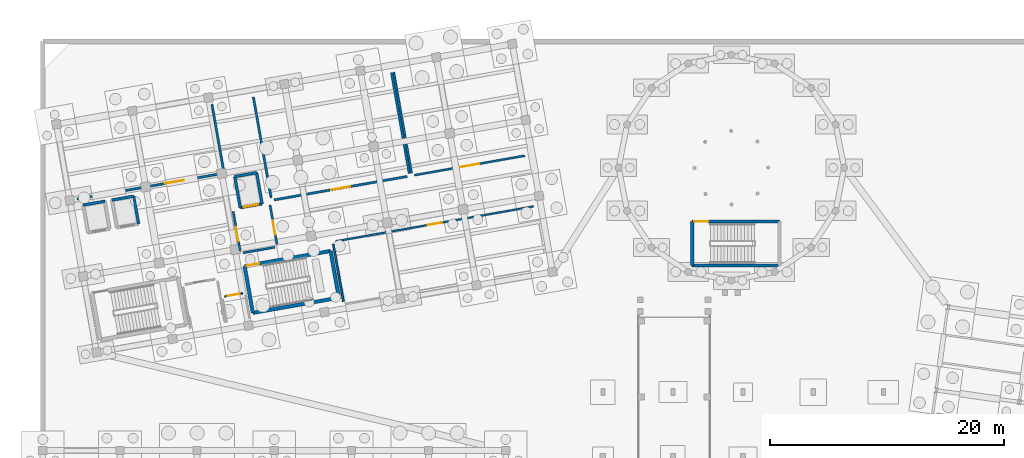
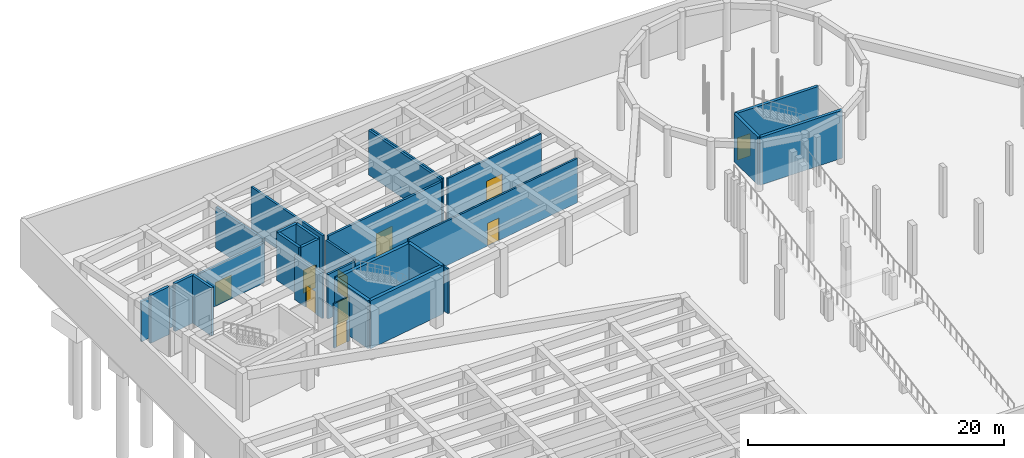
# One storey, part 23 of 34: 27 walls, 10 doors, 10 openings.
"""IFC4 building model written with IfcOpenShell, lengths in metres."""

from ifc_helpers import new_model, si_unit, direction, frame, frame_2d, origin, place, context, subcontext, project, spatial, rectangle, extrude, material, layer, layer_set, type_object, element, fill, save


model = new_model("IFC4")

# Units and contexts
model_context = context("Model", 3, precision=1e-05, world=origin(), true_north=direction((0.0, 1.0)))
body_context = subcontext(model_context, "Body", "Model", "MODEL_VIEW")
ifc_project = project(units=[si_unit("LENGTHUNIT", "METRE"), si_unit("AREAUNIT", "SQUARE_METRE"), si_unit("VOLUMEUNIT", "CUBIC_METRE"), si_unit("PLANEANGLEUNIT", "RADIAN"), si_unit("MASSUNIT", "GRAM", prefix="KILO")], contexts=[model_context])

# Site, building, storey
site_placement = place(None, origin())
site = spatial("IfcSite", under=ifc_project, at=site_placement, CompositionType="ELEMENT")
building_placement = place(site_placement, origin())
building = spatial("IfcBuilding", under=site, at=building_placement, Name="Kharisveld Research Institute", CompositionType="ELEMENT")
storey_placement = place(building_placement, frame((0.0, 0.0, -4.800048828125)))
storey = spatial("IfcBuildingStorey", under=building, at=storey_placement, Name="B1", CompositionType="ELEMENT", Elevation=-4.800048828125)

# Walls
ifc_material_1 = material(Name="Concrete C40/50", Category="concrete")
ifc_layer_1 = layer(ifc_material_1, 0.239990234375)
ifc_layer_set_1 = layer_set([ifc_layer_1], Name="WL_CORE_240")
wall_type_1 = type_object("IfcWallType", Name="WL_CORE_240", PredefinedType="SHEAR", material=ifc_layer_set_1)
wall_1_placement = place(storey_placement, frame((17.48828125, 47.3818359375, 0.0), z_axis=(0.0, 0.0, 1.0), x_axis=(-0.173615102578, 0.98481358447, 0.0)))
element("IfcWall", 1, at=wall_1_placement, inside=storey, type_object=wall_type_1, Name="WL:LFT:FFL-01:B1:W", PredefinedType="SHEAR", context=body_context, shape_type="SweptSolid", body=[
    extrude(rectangle(XDim=2.699951171875, YDim=0.239990234375, at=frame_2d((1.35009765625, 0.0))), origin(), (0.0, 0.0, 1.0), 4.580078125),
])
wall_2_placement = place(storey_placement, frame((17.01953125, 50.040771484375, 0.0), z_axis=(0.0, 0.0, 1.0), x_axis=(0.984815882103, 0.173602068988, 0.0)))
element("IfcWall", 2, at=wall_2_placement, inside=storey, type_object=wall_type_1, Name="WL:LFT:FFL-01:B1:N", PredefinedType="SHEAR", context=body_context, shape_type="SweptSolid", body=[
    extrude(rectangle(XDim=1.89990234375, YDim=0.239990234375, at=frame_2d((0.949951171875, 0.0))), origin(), (0.0, 0.0, 1.0), 4.580078125),
])
wall_3_placement = place(storey_placement, frame((18.890625, 50.37060546875, 0.0), z_axis=(0.0, 0.0, 1.0), x_axis=(0.173615102578, -0.98481358447, 0.0)))
element("IfcWall", 3, at=wall_3_placement, inside=storey, type_object=wall_type_1, Name="WL:LFT:FFL-01:B1:E", PredefinedType="SHEAR", context=body_context, shape_type="SweptSolid", body=[
    extrude(rectangle(XDim=2.699951171875, YDim=0.239990234375, at=frame_2d((1.35009765625, 0.0))), origin(), (0.0, 0.0, 1.0), 4.580078125),
])

# Wall, opening, door
wall_4_placement = place(storey_placement, frame((19.359375, 47.711669921875, 0.0), z_axis=(0.0, 0.0, 1.0), x_axis=(-0.984815882103, -0.173602068988, 0.0)))
wall_4 = element("IfcWall", 4, at=wall_4_placement, inside=storey, type_object=wall_type_1, Name="WL:LFT:FFL-01:B1:S", PredefinedType="SHEAR", context=body_context, shape_type="SweptSolid", body=[
    extrude(rectangle(XDim=1.89990234375, YDim=0.239990234375, at=frame_2d((0.949951171875, 0.0))), origin(), (0.0, 0.0, 1.0), 4.580078125),
])
opening_1_placement = place(wall_4_placement, frame((0.324951171875, 0.0, 0.0)))
opening_1 = element("IfcOpeningElement", 5, at=opening_1_placement, cuts=wall_4, Name="Opening LD-02", PredefinedType="OPENING", context=body_context, shape_type="SweptSolid", body=[
    extrude(rectangle(XDim=1.25, YDim=2.199951171875, at=frame_2d((0.625, 1.10009765625))), frame((0.0, 0.1201171875, 0.0), z_axis=(0.0, -1.0, 0.0), x_axis=(1.0, 0.0, 0.0)), (0.0, 0.0, 1.0), 0.239990234375),
])
ifc_material_2 = material(Name="Flush Painted Hardwood and Anodised Aluminium", Category="wood")
door_type_1 = type_object("IfcDoorType", Name="DR_LFT_125", OperationType="SLIDING_TO_RIGHT", PredefinedType="DOOR", material=ifc_material_2)
door_1_placement = place(opening_1_placement, origin())
door_1 = element("IfcDoor", 6, at=door_1_placement, inside=storey, type_object=door_type_1, Name="FFL-01 Lift Landing Door B1", OperationType="SLIDING_TO_RIGHT", OverallHeight=2.199951171875, OverallWidth=1.25, PredefinedType="DOOR", context=body_context, shape_type="SweptSolid", body=[
    extrude(rectangle(XDim=1.25, YDim=2.199951171875, at=frame_2d((0.625, 1.10009765625))), frame((0.0, 0.02490234375, 0.0), z_axis=(0.0, -1.0, 0.0), x_axis=(1.0, 0.0, 0.0)), (0.0, 0.0, 1.0), 0.050048828125),
])
fill(opening_1, door_1)

# Walls
for number, where, z_axis, x_axis, name in (
    (7, (4.046142578125, 47.600830078125, 0.0), (0.0, 0.0, 1.0), (0.984793905749, 0.173726691098, 0.0), "WL:LFT:PL-01:B1:N"),
    (8, (6.508056640625, 48.034912109375, 0.0), (0.0, 0.0, 1.0), (0.984793905749, 0.173726691098, 0.0), "WL:LFT:PL-02:B1:N"),
):
    element("IfcWall", number, at=place(storey_placement, frame(where, z_axis=z_axis, x_axis=x_axis)), inside=storey, type_object=wall_type_1, Name=name, PredefinedType="SHEAR", context=body_context, shape_type="SweptSolid", body=[
        extrude(rectangle(XDim=1.89990234375, YDim=0.239990234375, at=frame_2d((0.949951171875, 0.0))), origin(), (0.0, 0.0, 1.0), 4.580078125),
    ])
wall_5_placement = place(storey_placement, frame((8.379150390625, 48.364990234375, 0.0), z_axis=(0.0, 0.0, 1.0), x_axis=(0.173646056486, -0.984808127031, 0.0)))
element("IfcWall", 9, at=wall_5_placement, inside=storey, type_object=wall_type_1, Name="WL:LFT:PL-02:B1:E", PredefinedType="SHEAR", context=body_context, shape_type="SweptSolid", body=[
    extrude(rectangle(XDim=2.39990234375, YDim=0.239990234375, at=frame_2d((1.199951171875, 0.0))), origin(), (0.0, 0.0, 1.0), 4.580078125),
])
ifc_material_3 = material(Name="Concrete C40/50", Category="concrete")
ifc_layer_2 = layer(ifc_material_3, 0.27001953125)
ifc_layer_set_2 = layer_set([ifc_layer_2], Name="WL_CORE_270")
wall_type_2 = type_object("IfcWallType", Name="WL_CORE_270", PredefinedType="SHEAR", material=ifc_layer_set_2)
wall_6_placement = place(storey_placement, frame((56.14990234375, 42.449951171875, 0.0), z_axis=(0.0, 0.0, 1.0), x_axis=(0.0, 1.0, 0.0)))
element("IfcWall", 10, at=wall_6_placement, inside=storey, type_object=wall_type_2, Name="WL:STR:ST7:B1:W", PredefinedType="SHEAR", context=body_context, shape_type="SweptSolid", body=[
    extrude(rectangle(XDim=3.739990234375, YDim=0.27001953125, at=frame_2d((1.8701171875, 0.0))), origin(), (0.0, 0.0, 1.0), 4.580078125),
])

# Wall, opening, door
wall_7_placement = place(storey_placement, frame((56.14990234375, 46.18994140625, 0.0), z_axis=(0.0, 0.0, 1.0), x_axis=(1.0, 0.0, 0.0)))
wall_7 = element("IfcWall", 11, at=wall_7_placement, inside=storey, type_object=wall_type_2, Name="WL:STR:ST7:B1:N", PredefinedType="SHEAR", context=body_context, shape_type="SweptSolid", body=[
    extrude(rectangle(XDim=7.47021484375, YDim=0.27001953125, at=frame_2d((3.735107421875, 0.0))), origin(), (0.0, 0.0, 1.0), 4.580078125),
])
opening_2_placement = place(wall_7_placement, frame((0.179931640625, 0.0, 0.0)))
opening_2 = element("IfcOpeningElement", 12, at=opening_2_placement, cuts=wall_7, Name="Opening DS-049", PredefinedType="OPENING", context=body_context, shape_type="SweptSolid", body=[
    extrude(rectangle(XDim=1.179931640625, YDim=2.14990234375, at=frame_2d((0.58984375, 1.074951171875))), frame((0.0, 0.135009765625, 0.0), z_axis=(0.0, -1.0, 0.0), x_axis=(1.0, 0.0, 0.0)), (0.0, 0.0, 1.0), 0.27001953125),
])
ifc_material_4 = material(Name="Flush Painted Hardwood and Anodised Aluminium", Category="wood")
door_type_2 = type_object("IfcDoorType", Name="DR_FD60_118", OperationType="NOTDEFINED", PredefinedType="DOOR", material=ifc_material_4)
door_2_placement = place(opening_2_placement, origin())
door_2 = element("IfcDoor", 13, at=door_2_placement, inside=storey, type_object=door_type_2, Name="DR:STR:ST7:B1", OperationType="SINGLE_SWING_RIGHT", OverallHeight=2.14990234375, OverallWidth=1.179931640625, PredefinedType="DOOR", context=body_context, shape_type="SweptSolid", body=[
    extrude(rectangle(XDim=1.179931640625, YDim=2.14990234375, at=frame_2d((0.58984375, 1.074951171875))), frame((0.0, 0.02490234375, 0.0), z_axis=(0.0, -1.0, 0.0), x_axis=(1.0, 0.0, 0.0)), (0.0, 0.0, 1.0), 0.050048828125),
])
fill(opening_2, door_2)

# Walls
wall_8_placement = place(storey_placement, frame((63.6201171875, 42.449951171875, 0.0), z_axis=(0.0, 0.0, 1.0), x_axis=(-1.0, 0.0, 0.0)))
element("IfcWall", 14, at=wall_8_placement, inside=storey, type_object=wall_type_2, Name="WL:STR:ST7:B1:S", PredefinedType="SHEAR", context=body_context, shape_type="SweptSolid", body=[
    extrude(rectangle(XDim=7.47021484375, YDim=0.27001953125, at=frame_2d((3.735107421875, 0.0))), origin(), (0.0, 0.0, 1.0), 4.580078125),
])
ifc_material_5 = material(Name="Concrete C40/50", Category="concrete")
ifc_layer_3 = layer(ifc_material_5, 0.300048828125)
ifc_layer_set_3 = layer_set([ifc_layer_3], Name="WL_CORE_300")
wall_type_3 = type_object("IfcWallType", Name="WL_CORE_300", PredefinedType="SHEAR", material=ifc_layer_set_3)
wall_9_placement = place(storey_placement, frame((18.5673828125, 38.382568359375, 0.0), z_axis=(0.0, 0.0, 1.0), x_axis=(-0.173606946886, 0.984815022221, 0.0)))
element("IfcWall", 15, at=wall_9_placement, inside=storey, type_object=wall_type_3, Name="WL:STR:ST2:B1:W", PredefinedType="SHEAR", context=body_context, shape_type="SweptSolid", body=[
    extrude(rectangle(XDim=4.06005859375, YDim=0.300048828125, at=frame_2d((2.030029296875, 0.0))), origin(), (0.0, 0.0, 1.0), 4.580078125),
])

# Wall, opening, door
wall_10_placement = place(storey_placement, frame((17.862548828125, 42.380859375, 0.0), z_axis=(0.0, 0.0, 1.0), x_axis=(0.984808225754, 0.173645496596, 0.0)))
wall_10 = element("IfcWall", 16, at=wall_10_placement, inside=storey, type_object=wall_type_3, Name="WL:STR:ST2:B1:N", PredefinedType="SHEAR", context=body_context, shape_type="SweptSolid", body=[
    extrude(rectangle(XDim=7.469970703125, YDim=0.300048828125, at=frame_2d((3.73486328125, 0.0))), origin(), (0.0, 0.0, 1.0), 4.580078125),
])
opening_3_placement = place(wall_10_placement, frame((0.179931640625, 0.0, 0.0)))
opening_3 = element("IfcOpeningElement", 17, at=opening_3_placement, cuts=wall_10, Name="Opening DS-014", PredefinedType="OPENING", context=body_context, shape_type="SweptSolid", body=[
    extrude(rectangle(XDim=1.080078125, YDim=2.14990234375, at=frame_2d((0.5400390625, 1.074951171875))), frame((0.0, 0.14990234375, 0.0), z_axis=(0.0, -1.0, 0.0), x_axis=(1.0, 0.0, 0.0)), (0.0, 0.0, 1.0), 0.300048828125),
])
ifc_material_6 = material(Name="Flush Painted Hardwood and Anodised Aluminium", Category="wood")
door_type_3 = type_object("IfcDoorType", Name="DR_FD60_108", OperationType="NOTDEFINED", PredefinedType="DOOR", material=ifc_material_6)
door_3_placement = place(opening_3_placement, origin())
door_3 = element("IfcDoor", 18, at=door_3_placement, inside=storey, type_object=door_type_3, Name="DR:STR:ST2:B1", OperationType="SINGLE_SWING_LEFT", OverallHeight=2.14990234375, OverallWidth=1.080078125, PredefinedType="DOOR", context=body_context, shape_type="SweptSolid", body=[
    extrude(rectangle(XDim=1.080078125, YDim=2.14990234375, at=frame_2d((0.5400390625, 1.074951171875))), frame((0.0, 0.02490234375, 0.0), z_axis=(0.0, -1.0, 0.0), x_axis=(1.0, 0.0, 0.0)), (0.0, 0.0, 1.0), 0.050048828125),
])
fill(opening_3, door_3)

# Walls
wall_11_placement = place(storey_placement, frame((25.218994140625, 43.677978515625, 0.0), z_axis=(0.0, 0.0, 1.0), x_axis=(0.173665267602, -0.984804739443, 0.0)))
element("IfcWall", 19, at=wall_11_placement, inside=storey, type_object=wall_type_3, Name="WL:STR:ST2:B1:E", PredefinedType="SHEAR", context=body_context, shape_type="SweptSolid", body=[
    extrude(rectangle(XDim=4.06005859375, YDim=0.300048828125, at=frame_2d((2.030029296875, 0.0))), origin(), (0.0, 0.0, 1.0), 4.580078125),
])
wall_12_placement = place(storey_placement, frame((25.924072265625, 39.6796875, 0.0), z_axis=(0.0, 0.0, 1.0), x_axis=(-0.984809211193, -0.173639907711, 0.0)))
element("IfcWall", 20, at=wall_12_placement, inside=storey, type_object=wall_type_3, Name="WL:STR:ST2:B1:S", PredefinedType="SHEAR", context=body_context, shape_type="SweptSolid", body=[
    extrude(rectangle(XDim=7.47021484375, YDim=0.300048828125, at=frame_2d((3.735107421875, 0.0))), origin(), (0.0, 0.0, 1.0), 4.580078125),
])

# Wall, opening, door
ifc_material_7 = material(Name="Acoustic Drywall Partition", Category="mineral")
ifc_layer_4 = layer(ifc_material_7, 0.1650390625)
ifc_layer_set_4 = layer_set([ifc_layer_4], Name="WL_LAB_165")
wall_type_4 = type_object("IfcWallType", Name="WL_LAB_165", PredefinedType="PARTITIONING", material=ifc_layer_set_4)
wall_13_placement = place(storey_placement, frame((42.58056640625, 47.49072265625, 0.0), z_axis=(0.0, 0.0, 1.0), x_axis=(-0.984807256483, -0.173650993599, 0.0)))
wall_13 = element("IfcWall", 21, at=wall_13_placement, inside=storey, type_object=wall_type_4, Name="WL:RM:V1:B1:EMB1:N", PredefinedType="PARTITIONING", context=body_context, shape_type="SweptSolid", body=[
    extrude(rectangle(XDim=17.2099609375, YDim=0.1650390625, at=frame_2d((8.60498046875, 0.0))), origin(), (0.0, 0.0, 1.0), 4.25),
])
opening_4_placement = place(wall_13_placement, frame((8.0, 0.0, 0.0)))
opening_4 = element("IfcOpeningElement", 22, at=opening_4_placement, cuts=wall_13, Name="Opening DI-059", PredefinedType="OPENING", context=body_context, shape_type="SweptSolid", body=[
    extrude(rectangle(XDim=1.2099609375, YDim=2.159912109375, at=frame_2d((0.60498046875, 1.080078125))), frame((0.0, 0.08251953125, 0.0), z_axis=(0.0, -1.0, 0.0), x_axis=(1.0, 0.0, 0.0)), (0.0, 0.0, 1.0), 0.1650390625),
])
ifc_material_8 = material(Name="Flush Painted Hardwood and Anodised Aluminium", Category="wood")
door_type_4 = type_object("IfcDoorType", Name="DR_VAR_11", OperationType="NOTDEFINED", PredefinedType="DOOR", material=ifc_material_8)
door_4_placement = place(opening_4_placement, origin())
door_4 = element("IfcDoor", 23, at=door_4_placement, inside=storey, type_object=door_type_4, Name="DR:RM:V1:B1:EMB1:N", OperationType="SINGLE_SWING_LEFT", OverallHeight=2.159912109375, OverallWidth=1.2099609375, PredefinedType="DOOR", context=body_context, shape_type="SweptSolid", body=[
    extrude(rectangle(XDim=1.2099609375, YDim=2.159912109375, at=frame_2d((0.60498046875, 1.080078125))), frame((0.0, 0.02490234375, 0.0), z_axis=(0.0, -1.0, 0.0), x_axis=(1.0, 0.0, 0.0)), (0.0, 0.0, 1.0), 0.050048828125),
])
fill(opening_4, door_4)

# Walls
wall_14_placement = place(storey_placement, frame((25.45361328125, 44.247314453125, 0.0), z_axis=(0.0, 0.0, 1.0), x_axis=(0.173658971256, -0.98480584975, 0.0)))
element("IfcWall", 24, at=wall_14_placement, inside=storey, type_object=wall_type_4, Name="WL:RM:V1:B1:EMB1:W", PredefinedType="PARTITIONING", context=body_context, shape_type="SweptSolid", body=[
    extrude(rectangle(XDim=4.9599609375, YDim=0.1650390625, at=frame_2d((2.47998046875, 0.0))), origin(), (0.0, 0.0, 1.0), 4.25),
])
ifc_material_9 = material(Name="Masonry Blockwork", Category="masonry")
ifc_layer_5 = layer(ifc_material_9, 0.18505859375)
ifc_layer_set_5 = layer_set([ifc_layer_5], Name="WL_LOB_185")
wall_type_5 = type_object("IfcWallType", Name="WL_LOB_185", PredefinedType="SOLIDWALL", material=ifc_layer_set_5)
wall_15_placement = place(storey_placement, frame((17.7333984375, 43.515625, 0.0), z_axis=(0.0, 0.0, 1.0), x_axis=(0.984808483292, 0.173644035992, 0.0)))
element("IfcWall", 25, at=wall_15_placement, inside=storey, type_object=wall_type_5, Name="WL:RM:V1:B1:FFL:S", PredefinedType="SOLIDWALL", context=body_context, shape_type="SweptSolid", body=[
    extrude(rectangle(XDim=2.760009765625, YDim=0.18505859375, at=frame_2d((1.3798828125, 0.0))), origin(), (0.0, 0.0, 1.0), 4.25),
])

# Wall, opening, door
wall_16_placement = place(storey_placement, frame((20.6298828125, 44.249755859375, 0.0), z_axis=(0.0, 0.0, 1.0), x_axis=(-0.173621956536, 0.984812376145, 0.0)))
wall_16 = element("IfcWall", 26, at=wall_16_placement, inside=storey, type_object=wall_type_5, Name="WL:RM:V1:B1:FFL:E", PredefinedType="SOLIDWALL", context=body_context, shape_type="SweptSolid", body=[
    extrude(rectangle(XDim=3.409912109375, YDim=0.18505859375, at=frame_2d((1.705078125, 0.0))), origin(), (0.0, 0.0, 1.0), 4.25),
])
opening_5_placement = place(wall_16_placement, frame((0.85009765625, 0.0, 0.0)))
opening_5 = element("IfcOpeningElement", 27, at=opening_5_placement, cuts=wall_16, Name="Opening DI-052", PredefinedType="OPENING", context=body_context, shape_type="SweptSolid", body=[
    extrude(rectangle(XDim=1.199951171875, YDim=2.14990234375, at=frame_2d((0.60009765625, 1.074951171875))), frame((0.0, 0.092529296875, 0.0), z_axis=(0.0, -1.0, 0.0), x_axis=(1.0, 0.0, 0.0)), (0.0, 0.0, 1.0), 0.18505859375),
])
ifc_material_10 = material(Name="Flush Painted Hardwood and Anodised Aluminium", Category="wood")
door_type_5 = type_object("IfcDoorType", Name="DR_FD120_120", OperationType="NOTDEFINED", PredefinedType="DOOR", material=ifc_material_10)
door_5_placement = place(opening_5_placement, origin())
door_5 = element("IfcDoor", 28, at=door_5_placement, inside=storey, type_object=door_type_5, Name="DR:RM:V1:B1:FFL:E", OperationType="SINGLE_SWING_LEFT", OverallHeight=2.14990234375, OverallWidth=1.199951171875, PredefinedType="DOOR", context=body_context, shape_type="SweptSolid", body=[
    extrude(rectangle(XDim=1.199951171875, YDim=2.14990234375, at=frame_2d((0.60009765625, 1.074951171875))), frame((0.0, 0.02490234375, 0.0), z_axis=(0.0, -1.0, 0.0), x_axis=(1.0, 0.0, 0.0)), (0.0, 0.0, 1.0), 0.050048828125),
])
fill(opening_5, door_5)

wall_17_placement = place(storey_placement, frame((16.886474609375, 47.05224609375, 0.0), z_axis=(0.0, 0.0, 1.0), x_axis=(0.173621956536, -0.984812376145, 0.0)))
wall_17 = element("IfcWall", 29, at=wall_17_placement, inside=storey, type_object=wall_type_5, Name="WL:RM:V1:B1:FFL:W", PredefinedType="SOLIDWALL", context=body_context, shape_type="SweptSolid", body=[
    extrude(rectangle(XDim=3.409912109375, YDim=0.18505859375, at=frame_2d((1.705078125, 0.0))), origin(), (0.0, 0.0, 1.0), 4.25),
])
opening_6_placement = place(wall_17_placement, frame((1.360107421875, 0.0, 0.0)))
opening_6 = element("IfcOpeningElement", 30, at=opening_6_placement, cuts=wall_17, Name="Opening DI-053", PredefinedType="OPENING", context=body_context, shape_type="SweptSolid", body=[
    extrude(rectangle(XDim=1.199951171875, YDim=2.14990234375, at=frame_2d((0.60009765625, 1.074951171875))), frame((0.0, 0.092529296875, 0.0), z_axis=(0.0, -1.0, 0.0), x_axis=(1.0, 0.0, 0.0)), (0.0, 0.0, 1.0), 0.18505859375),
])
door_6_placement = place(opening_6_placement, origin())
door_6 = element("IfcDoor", 31, at=door_6_placement, inside=storey, type_object=door_type_5, Name="DR:RM:V1:B1:FFL:W", OperationType="SINGLE_SWING_RIGHT", OverallHeight=2.14990234375, OverallWidth=1.199951171875, PredefinedType="DOOR", context=body_context, shape_type="SweptSolid", body=[
    extrude(rectangle(XDim=1.199951171875, YDim=2.14990234375, at=frame_2d((0.60009765625, 1.074951171875))), frame((0.0, 0.02490234375, 0.0), z_axis=(0.0, -1.0, 0.0), x_axis=(1.0, 0.0, 0.0)), (0.0, 0.0, 1.0), 0.050048828125),
])
fill(opening_6, door_6)

ifc_material_11 = material(Name="Concrete C35/45", Category="concrete")
ifc_layer_6 = layer(ifc_material_11, 0.199951171875)
ifc_layer_set_6 = layer_set([ifc_layer_6], Name="WL_SHF_200")
wall_type_6 = type_object("IfcWallType", Name="WL_SHF_200", PredefinedType="SOLIDWALL", material=ifc_layer_set_6)
wall_18_placement = place(storey_placement, frame((3.518310546875, 48.1171875, 0.0), z_axis=(0.0, 0.0, 1.0), x_axis=(0.9848097689, 0.173636744608, 0.0)))
wall_18 = element("IfcWall", 32, at=wall_18_placement, inside=storey, type_object=wall_type_6, Name="WL:RM:V1:B1:SWG:S", PredefinedType="SOLIDWALL", context=body_context, shape_type="SweptSolid", body=[
    extrude(rectangle(XDim=12.56005859375, YDim=0.199951171875, at=frame_2d((6.280029296875, 0.0))), origin(), (0.0, 0.0, 1.0), 3.844970703125),
])
opening_7_placement = place(wall_18_placement, frame((7.64404296875, 0.0, 0.0)))
opening_7 = element("IfcOpeningElement", 33, at=opening_7_placement, cuts=wall_18, Name="Opening DI-056", PredefinedType="OPENING", context=body_context, shape_type="SweptSolid", body=[
    extrude(rectangle(XDim=1.639892578125, YDim=2.199951171875, at=frame_2d((0.81982421875, 1.10009765625))), frame((0.0, 0.10009765625, 0.0), z_axis=(0.0, -1.0, 0.0), x_axis=(1.0, 0.0, 0.0)), (0.0, 0.0, 1.0), 0.199951171875),
])
ifc_material_12 = material(Name="Flush Painted Hardwood and Anodised Aluminium", Category="wood")
door_type_6 = type_object("IfcDoorType", Name="DR_FD60_164", OperationType="DOUBLE_DOOR_SINGLE_SWING", PredefinedType="DOOR", material=ifc_material_12)
door_7_placement = place(opening_7_placement, origin())
door_7 = element("IfcDoor", 34, at=door_7_placement, inside=storey, type_object=door_type_6, Name="DR:RM:V1:B1:SWG:S", OperationType="DOUBLE_DOOR_SINGLE_SWING", OverallHeight=2.199951171875, OverallWidth=1.639892578125, PredefinedType="DOOR", context=body_context, shape_type="SweptSolid", body=[
    extrude(rectangle(XDim=1.639892578125, YDim=2.199951171875, at=frame_2d((0.81982421875, 1.10009765625))), frame((0.0, 0.02490234375, 0.0), z_axis=(0.0, -1.0, 0.0), x_axis=(1.0, 0.0, 0.0)), (0.0, 0.0, 1.0), 0.050048828125),
])
fill(opening_7, door_7)

# Wall
wall_19_placement = place(storey_placement, frame((16.066162109375, 50.552978515625, 0.0), z_axis=(0.0, 0.0, 1.0), x_axis=(-0.173649928941, 0.984807444214, 0.0)))
element("IfcWall", 35, at=wall_19_placement, inside=storey, type_object=wall_type_6, Name="WL:RM:V1:B1:SWG:E", PredefinedType="SOLIDWALL", context=body_context, shape_type="SweptSolid", body=[
    extrude(rectangle(XDim=5.760009765625, YDim=0.199951171875, at=frame_2d((2.8798828125, 0.0))), origin(), (0.0, 0.0, 1.0), 3.945068359375),
])

# Wall, opening, door
wall_20_placement = place(storey_placement, frame((20.38720703125, 48.045166015625, 0.0), z_axis=(0.0, 0.0, 1.0), x_axis=(0.984804600273, 0.173666056788, 0.0)))
wall_20 = element("IfcWall", 36, at=wall_20_placement, inside=storey, type_object=wall_type_6, Name="WL:RM:V1:B1:CIS:S", PredefinedType="SOLIDWALL", context=body_context, shape_type="SweptSolid", body=[
    extrude(rectangle(XDim=11.559814453125, YDim=0.199951171875, at=frame_2d((5.77978515625, 0.0))), origin(), (0.0, 0.0, 1.0), 4.25),
])
opening_8_placement = place(wall_20_placement, frame((4.9599609375, 0.0, 0.0)))
opening_8 = element("IfcOpeningElement", 37, at=opening_8_placement, cuts=wall_20, Name="Opening DI-057", PredefinedType="OPENING", context=body_context, shape_type="SweptSolid", body=[
    extrude(rectangle(XDim=1.639892578125, YDim=2.199951171875, at=frame_2d((0.81982421875, 1.10009765625))), frame((0.0, 0.10009765625, 0.0), z_axis=(0.0, -1.0, 0.0), x_axis=(1.0, 0.0, 0.0)), (0.0, 0.0, 1.0), 0.199951171875),
])
door_8_placement = place(opening_8_placement, origin())
door_8 = element("IfcDoor", 38, at=door_8_placement, inside=storey, type_object=door_type_6, Name="DR:RM:V1:B1:CIS:S", OperationType="DOUBLE_DOOR_SINGLE_SWING", OverallHeight=2.199951171875, OverallWidth=1.639892578125, PredefinedType="DOOR", context=body_context, shape_type="SweptSolid", body=[
    extrude(rectangle(XDim=1.639892578125, YDim=2.199951171875, at=frame_2d((0.81982421875, 1.10009765625))), frame((0.0, 0.02490234375, 0.0), z_axis=(0.0, -1.0, 0.0), x_axis=(1.0, 0.0, 0.0)), (0.0, 0.0, 1.0), 0.050048828125),
])
fill(opening_8, door_8)

# Walls
for number, where, z_axis, x_axis, name in (
    (39, (31.949951171875, 50.307373046875, 0.0), (0.0, 0.0, 1.0), (-0.173629522118, 0.984811042307, 0.0), "WL:RM:V1:B1:CIS:E"),
    (40, (18.611083984375, 56.8505859375, 0.0), (0.0, 0.0, 1.0), (0.173656551629, -0.98480627642, 0.0), "WL:RM:V1:B1:CIS:W"),
):
    element("IfcWall", number, at=place(storey_placement, frame(where, z_axis=z_axis, x_axis=x_axis)), inside=storey, type_object=wall_type_6, Name=name, PredefinedType="SOLIDWALL", context=body_context, shape_type="SweptSolid", body=[
        extrude(rectangle(XDim=8.760009765625, YDim=0.199951171875, at=frame_2d((4.3798828125, 0.0))), origin(), (0.0, 0.0, 1.0), 4.25),
    ])

# Wall, opening, door
ifc_material_13 = material(Name="Masonry Blockwork", Category="masonry")
ifc_layer_7 = layer(ifc_material_13, 0.175048828125)
ifc_layer_set_7 = layer_set([ifc_layer_7], Name="WL_STR_175")
wall_type_7 = type_object("IfcWallType", Name="WL_STR_175", PredefinedType="SOLIDWALL", material=ifc_layer_set_7)
wall_21_placement = place(storey_placement, frame((32.40185546875, 50.163818359375, 0.0), z_axis=(0.0, 0.0, 1.0), x_axis=(0.984810798363, 0.17363090574, 0.0)))
wall_21 = element("IfcWall", 41, at=wall_21_placement, inside=storey, type_object=wall_type_7, Name="WL:RM:V1:B1:EQS:S", PredefinedType="SOLIDWALL", context=body_context, shape_type="SweptSolid", body=[
    extrude(rectangle(XDim=9.56005859375, YDim=0.175048828125, at=frame_2d((4.780029296875, 0.0))), origin(), (0.0, 0.0, 1.0), 4.25),
])
opening_9_placement = place(wall_21_placement, frame((3.9599609375, 0.0, 0.0)))
opening_9 = element("IfcOpeningElement", 42, at=opening_9_placement, cuts=wall_21, Name="Opening DI-058", PredefinedType="OPENING", context=body_context, shape_type="SweptSolid", body=[
    extrude(rectangle(XDim=1.639892578125, YDim=2.199951171875, at=frame_2d((0.81982421875, 1.10009765625))), frame((0.0, 0.08740234375, 0.0), z_axis=(0.0, -1.0, 0.0), x_axis=(1.0, 0.0, 0.0)), (0.0, 0.0, 1.0), 0.175048828125),
])
door_9_placement = place(opening_9_placement, origin())
door_9 = element("IfcDoor", 43, at=door_9_placement, inside=storey, type_object=door_type_6, Name="DR:RM:V1:B1:EQS:S", OperationType="DOUBLE_DOOR_SINGLE_SWING", OverallHeight=2.199951171875, OverallWidth=1.639892578125, PredefinedType="DOOR", context=body_context, shape_type="SweptSolid", body=[
    extrude(rectangle(XDim=1.639892578125, YDim=2.199951171875, at=frame_2d((0.81982421875, 1.10009765625))), frame((0.0, 0.02490234375, 0.0), z_axis=(0.0, -1.0, 0.0), x_axis=(1.0, 0.0, 0.0)), (0.0, 0.0, 1.0), 0.050048828125),
])
fill(opening_9, door_9)

# Wall
wall_22_placement = place(storey_placement, frame((30.625732421875, 58.96923828125, 0.0), z_axis=(0.0, 0.0, 1.0), x_axis=(0.173656551629, -0.98480627642, 0.0)))
element("IfcWall", 44, at=wall_22_placement, inside=storey, type_object=wall_type_7, Name="WL:RM:V1:B1:EQS:W", PredefinedType="SOLIDWALL", context=body_context, shape_type="SweptSolid", body=[
    extrude(rectangle(XDim=8.760009765625, YDim=0.175048828125, at=frame_2d((4.3798828125, 0.0))), origin(), (0.0, 0.0, 1.0), 4.25),
])

# Wall, opening, door
ifc_material_14 = material(Name="Moisture-Resistant Partition", Category="mineral")
ifc_layer_8 = layer(ifc_material_14, 0.114990234375)
ifc_layer_set_8 = layer_set([ifc_layer_8], Name="WL_WC_115")
wall_type_8 = type_object("IfcWallType", Name="WL_WC_115", PredefinedType="PARTITIONING", material=ifc_layer_set_8)
wall_23_placement = place(storey_placement, frame((17.693603515625, 40.05615234375, 0.0), z_axis=(0.0, 0.0, 1.0), x_axis=(-0.984797734253, -0.173704987291, 0.0)))
wall_23 = element("IfcWall", 45, at=wall_23_placement, inside=storey, type_object=wall_type_8, Name="WL:RM:V1:B1:WCA:N", PredefinedType="PARTITIONING", context=body_context, shape_type="SweptSolid", body=[
    extrude(rectangle(XDim=1.56005859375, YDim=0.114990234375, at=frame_2d((0.780029296875, 0.0))), origin(), (0.0, 0.0, 1.0), 4.25),
])
opening_10_placement = place(wall_23_placement, frame((0.25, 0.0, 0.0)))
opening_10 = element("IfcOpeningElement", 46, at=opening_10_placement, cuts=wall_23, Name="Opening DI-055", PredefinedType="OPENING", context=body_context, shape_type="SweptSolid", body=[
    extrude(rectangle(XDim=1.06005859375, YDim=2.1201171875, at=frame_2d((0.530029296875, 1.06005859375))), frame((0.0, 0.0576171875, 0.0), z_axis=(0.0, -1.0, 0.0), x_axis=(1.0, 0.0, 0.0)), (0.0, 0.0, 1.0), 0.114990234375),
])
ifc_material_15 = material(Name="Flush Painted Hardwood and Anodised Aluminium", Category="wood")
door_type_7 = type_object("IfcDoorType", Name="DR_WCA_106", OperationType="NOTDEFINED", PredefinedType="DOOR", material=ifc_material_15)
door_10_placement = place(opening_10_placement, origin())
door_10 = element("IfcDoor", 47, at=door_10_placement, inside=storey, type_object=door_type_7, Name="DR:RM:V1:B1:WCA:N", OperationType="SINGLE_SWING_RIGHT", OverallHeight=2.1201171875, OverallWidth=1.06005859375, PredefinedType="DOOR", context=body_context, shape_type="SweptSolid", body=[
    extrude(rectangle(XDim=1.06005859375, YDim=2.1201171875, at=frame_2d((0.530029296875, 1.06005859375))), frame((0.0, 0.02490234375, 0.0), z_axis=(0.0, -1.0, 0.0), x_axis=(1.0, 0.0, 0.0)), (0.0, 0.0, 1.0), 0.050048828125),
])
fill(opening_10, door_10)

save(model, "model.ifc")
